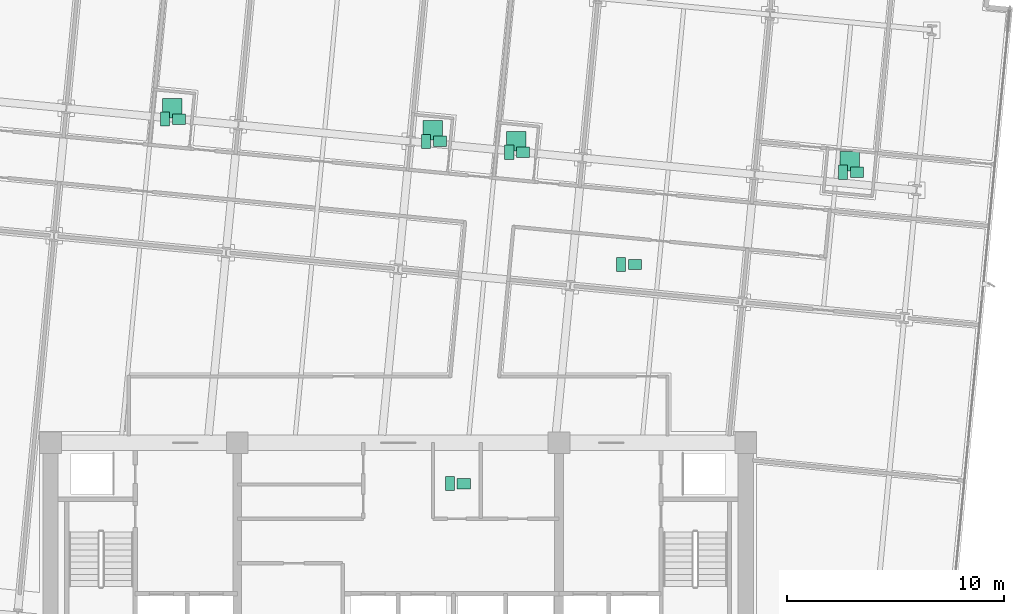
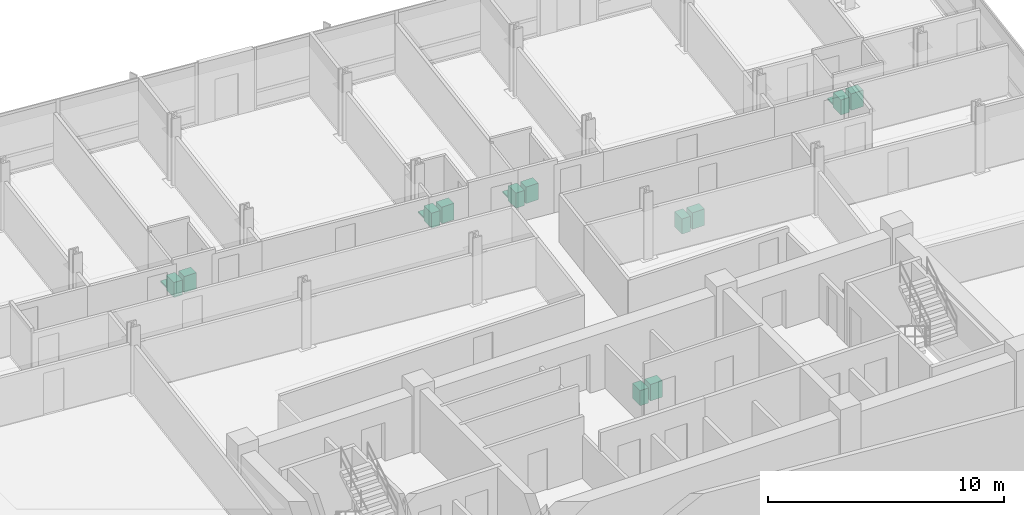
# One storey, part 17 of 17: 16 sanitary terminals.
"""IFC4 building model written with IfcOpenShell, lengths in metres."""

from ifc_helpers import new_model, si_unit, direction, frame, origin, origin_2d, place, context, subcontext, project, spatial, rectangle, extrude, material, type_object, element, save


model = new_model("IFC4")

# Units and contexts
model_context = context("Model", 3, precision=1e-05, world=origin(), true_north=direction((0.0, 1.0)))
body_context = subcontext(model_context, "Body", "Model", "MODEL_VIEW")
ifc_project = project(units=[si_unit("LENGTHUNIT", "METRE"), si_unit("AREAUNIT", "SQUARE_METRE"), si_unit("VOLUMEUNIT", "CUBIC_METRE"), si_unit("PLANEANGLEUNIT", "RADIAN"), si_unit("MASSUNIT", "GRAM", prefix="KILO")], contexts=[model_context])

# Site, building, storey
site_placement = place(None, origin())
site = spatial("IfcSite", under=ifc_project, at=site_placement, CompositionType="ELEMENT")
building_placement = place(site_placement, origin())
building = spatial("IfcBuilding", under=site, at=building_placement, Name="Solmavex Isthmus Hotel", CompositionType="ELEMENT")
storey_placement = place(building_placement, frame((0.0, 0.0, 170.39990234375)))
storey = spatial("IfcBuildingStorey", under=building, at=storey_placement, Name="L46", CompositionType="ELEMENT", Elevation=170.39990234375)

# Sanitary terminals
ifc_material = material(Name="Vitreous china ceramic", Category="ceramic")
sanitary_terminal_type_1 = type_object("IfcSanitaryTerminalType", Name="SAN-BASIN", PredefinedType="WASHHANDBASIN", material=ifc_material)
for number, where, z_axis, x_axis, name in (
    (1, (3.02001953125, -4.385009765625, 0.0), (0.0, 0.0, 1.0), (1.0, 0.0, 0.0), "Vanity Washbasin L46-212"),
    (2, (-10.083984375, 12.394287109375, 0.0), (0.0, 0.0, 1.0), (1.0, 0.0, 0.0), "Vanity Washbasin L46-213"),
    (3, (1.9189453125, 11.37109375, 0.0), (0.0, 0.0, 1.0), (1.0, 0.0, 0.0), "Vanity Washbasin L46-214"),
    (4, (5.7548828125, 10.869384765625, 0.0), (0.0, 0.0, 1.0), (1.0, 0.0, 0.0), "Vanity Washbasin L46-215"),
    (5, (21.115234375, 9.94775390625, 0.0), (0.0, 0.0, 1.0), (1.0, 0.0, 0.0), "Vanity Washbasin L46-216"),
    (6, (10.895263671875, 5.702880859375, 0.0), (0.0, 0.0, 1.0), (1.0, 0.0, 0.0), "Vanity Washbasin L46-217"),
):
    element("IfcSanitaryTerminal", number, at=place(storey_placement, frame(where, z_axis=z_axis, x_axis=x_axis)), inside=storey, type_object=sanitary_terminal_type_1, Name=name, PredefinedType="WASHHANDBASIN", context=body_context, shape_type="SweptSolid", body=[
        extrude(rectangle(XDim=0.60009765625, YDim=0.47998046875, at=origin_2d()), origin(), (0.0, 0.0, 1.0), 0.85009765625),
    ])
sanitary_terminal_type_2 = type_object("IfcSanitaryTerminalType", Name="SAN-SHOWER", PredefinedType="SHOWER", material=ifc_material)
for number, where, z_axis, x_axis, name in (
    (7, (-10.404052734375, 12.894287109375, 0.0), (0.0, 0.0, 1.0), (1.0, 0.0, 0.0), "Walk-In Shower L46-213"),
    (8, (1.59912109375, 11.87109375, 0.0), (0.0, 0.0, 1.0), (1.0, 0.0, 0.0), "Walk-In Shower L46-214"),
    (9, (5.434814453125, 11.369384765625, 0.0), (0.0, 0.0, 1.0), (1.0, 0.0, 0.0), "Walk-In Shower L46-215"),
    (10, (20.795166015625, 10.44775390625, 0.0), (0.0, 0.0, 1.0), (1.0, 0.0, 0.0), "Walk-In Shower L46-216"),
):
    element("IfcSanitaryTerminal", number, at=place(storey_placement, frame(where, z_axis=z_axis, x_axis=x_axis)), inside=storey, type_object=sanitary_terminal_type_2, Name=name, PredefinedType="SHOWER", context=body_context, shape_type="SweptSolid", body=[
        extrude(rectangle(XDim=0.89990234375, YDim=0.89990234375, at=origin_2d()), origin(), (0.0, 0.0, 1.0), 0.080078125),
    ])
sanitary_terminal_type_3 = type_object("IfcSanitaryTerminalType", Name="SAN-WC-SUITE", PredefinedType="TOILETPAN", material=ifc_material)
for number, where, z_axis, x_axis, name in (
    (11, (2.3798828125, -4.385009765625, 0.0), (0.0, 0.0, 1.0), (1.0, 0.0, 0.0), "Water Closet L46-212"),
    (12, (-10.72412109375, 12.394287109375, 0.0), (0.0, 0.0, 1.0), (1.0, 0.0, 0.0), "Water Closet L46-213"),
    (13, (1.279052734375, 11.37109375, 0.0), (0.0, 0.0, 1.0), (1.0, 0.0, 0.0), "Water Closet L46-214"),
    (14, (5.11474609375, 10.869384765625, 0.0), (0.0, 0.0, 1.0), (1.0, 0.0, 0.0), "Water Closet L46-215"),
    (15, (20.47509765625, 9.94775390625, 0.0), (0.0, 0.0, 1.0), (1.0, 0.0, 0.0), "Water Closet L46-216"),
    (16, (10.25537109375, 5.702880859375, 0.0), (0.0, 0.0, 1.0), (1.0, 0.0, 0.0), "Water Closet L46-217"),
):
    element("IfcSanitaryTerminal", number, at=place(storey_placement, frame(where, z_axis=z_axis, x_axis=x_axis)), inside=storey, type_object=sanitary_terminal_type_3, Name=name, PredefinedType="TOILETPAN", context=body_context, shape_type="SweptSolid", body=[
        extrude(rectangle(XDim=0.419921875, YDim=0.64990234375, at=origin_2d()), origin(), (0.0, 0.0, 1.0), 0.780029296875),
    ])

save(model, "model.ifc")
